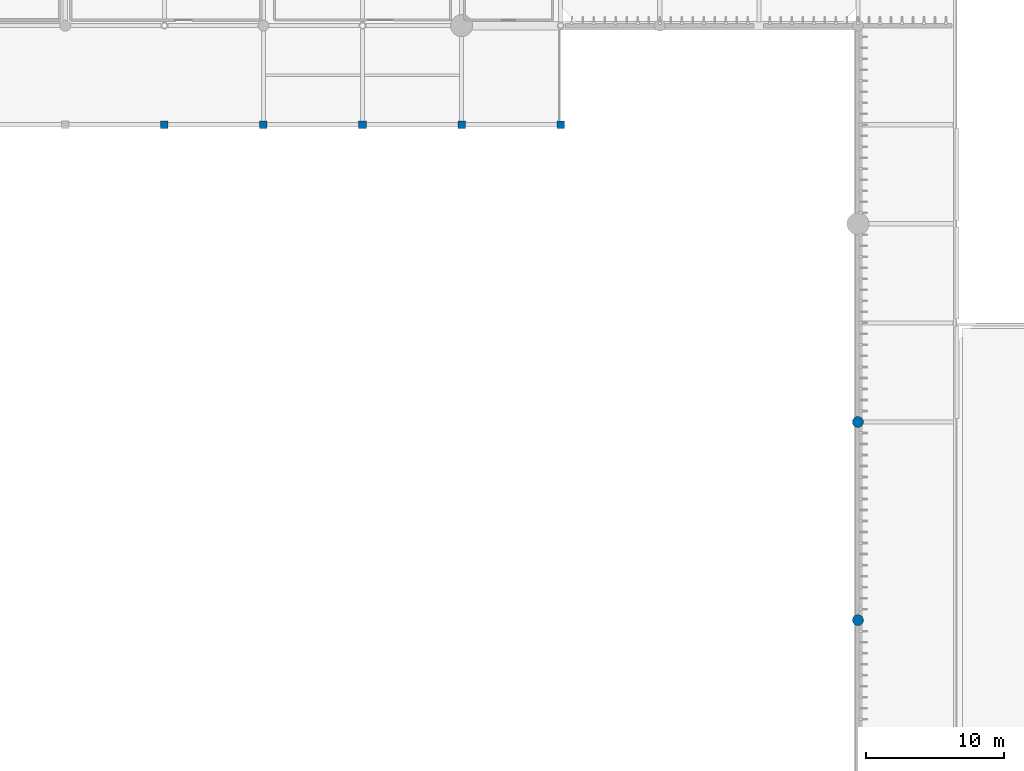
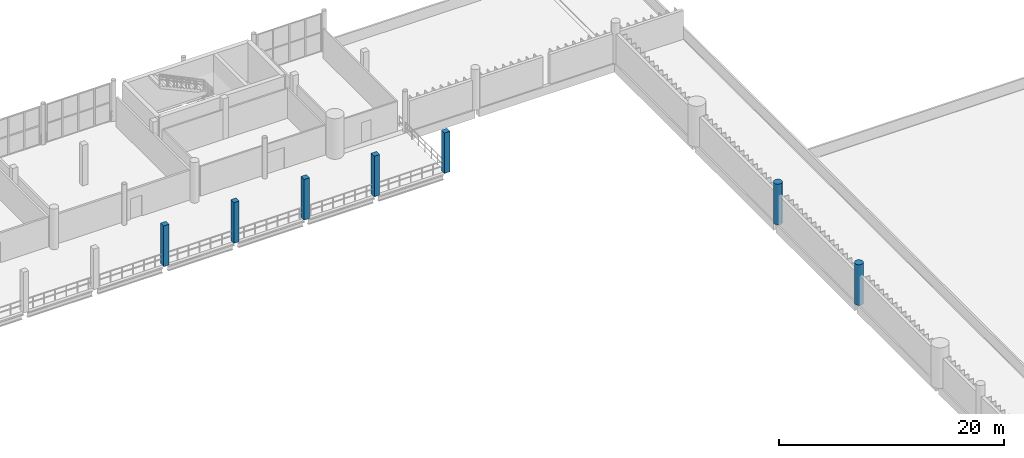
# One storey, part 8 of 81: 7 columns.
"""IFC4 building model written with IfcOpenShell, lengths in metres."""

from ifc_helpers import new_model, si_unit, direction, frame, origin, origin_2d, place, context, subcontext, project, spatial, rectangle, circle, extrude, material, material_profile, profile_set, type_object, element, save


model = new_model("IFC4")

# Units and contexts
model_context = context("Model", 3, precision=1e-05, world=origin(), true_north=direction((0.0, 1.0)))
body_context = subcontext(model_context, "Body", "Model", "MODEL_VIEW")
ifc_project = project(units=[si_unit("LENGTHUNIT", "METRE"), si_unit("AREAUNIT", "SQUARE_METRE"), si_unit("VOLUMEUNIT", "CUBIC_METRE"), si_unit("PLANEANGLEUNIT", "RADIAN"), si_unit("MASSUNIT", "GRAM", prefix="KILO")], contexts=[model_context])

# Site, building, storey
site_placement = place(None, origin())
site = spatial("IfcSite", under=ifc_project, at=site_placement, CompositionType="ELEMENT")
building_placement = place(site_placement, origin())
building = spatial("IfcBuilding", under=site, at=building_placement, Name="Qandorah Velis Arena", CompositionType="ELEMENT")
storey_placement = place(building_placement, frame((0.0, 0.0, 18.60009765625)))
storey = spatial("IfcBuildingStorey", under=building, at=storey_placement, Name="L04", CompositionType="ELEMENT", Elevation=18.60009765625)

# Columns
ifc_material = material(Name="Concrete C40/50", Category="concrete")
ifc_material_profile_1 = material_profile(ifc_material, rectangle(XDim=0.550048828125, YDim=0.550048828125, at=origin_2d()), Name="RC COL 550x550")
ifc_profile_set_1 = profile_set([ifc_material_profile_1], Name="Concrete C40/50")
column_type_1 = type_object("IfcColumnType", Name="STR-COL-RC550", PredefinedType="COLUMN", material=ifc_profile_set_1)
for number, where, z_axis, x_axis, name in (
    (1, (64.800048828125, 108.0, 0.0), (0.0, 0.0, 1.0), (1.0, 0.0, 0.0), "Structural column L04-100"),
    (2, (72.0, 108.0, 0.0), (0.0, 0.0, 1.0), (1.0, 0.0, 0.0), "Structural column L04-108"),
    (3, (79.199951171875, 108.0, 0.0), (0.0, 0.0, 1.0), (1.0, 0.0, 0.0), "Structural column L04-116"),
    (4, (86.39990234375, 108.0, 0.0), (0.0, 0.0, 1.0), (1.0, 0.0, 0.0), "Structural column L04-124"),
    (5, (93.60009765625, 108.0, 0.0), (0.0, 0.0, 1.0), (1.0, 0.0, 0.0), "Structural column L04-132"),
):
    element("IfcColumn", number, at=place(storey_placement, frame(where, z_axis=z_axis, x_axis=x_axis)), inside=storey, type_object=column_type_1, Name=name, PredefinedType="COLUMN", context=body_context, shape_type="SweptSolid", body=[
        extrude(rectangle(XDim=0.550048828125, YDim=0.550048828125, at=origin_2d()), origin(), (0.0, 0.0, 1.0), 4.39990234375),
    ])
ifc_material_profile_2 = material_profile(ifc_material, circle(Radius=0.39990234375, at=origin_2d()), Name="RC D800")
ifc_profile_set_2 = profile_set([ifc_material_profile_2], Name="Concrete C40/50")
column_type_2 = type_object("IfcColumnType", Name="STR-COL-RCD800", PredefinedType="COLUMN", material=ifc_profile_set_2)
for number, where, z_axis, x_axis, name in (
    (6, (115.199951171875, 72.0, 0.0), (0.0, 0.0, 1.0), (1.0, 0.0, 0.0), "Bowl drum ring column L04-144"),
    (7, (115.199951171875, 86.39990234375, 0.0), (0.0, 0.0, 1.0), (1.0, 0.0, 0.0), "Bowl drum ring column L04-145"),
):
    element("IfcColumn", number, at=place(storey_placement, frame(where, z_axis=z_axis, x_axis=x_axis)), inside=storey, type_object=column_type_2, Name=name, PredefinedType="COLUMN", context=body_context, shape_type="SweptSolid", body=[
        extrude(circle(Radius=0.39990234375, at=origin_2d()), origin(), (0.0, 0.0, 1.0), 4.39990234375),
    ])

save(model, "model.ifc")
